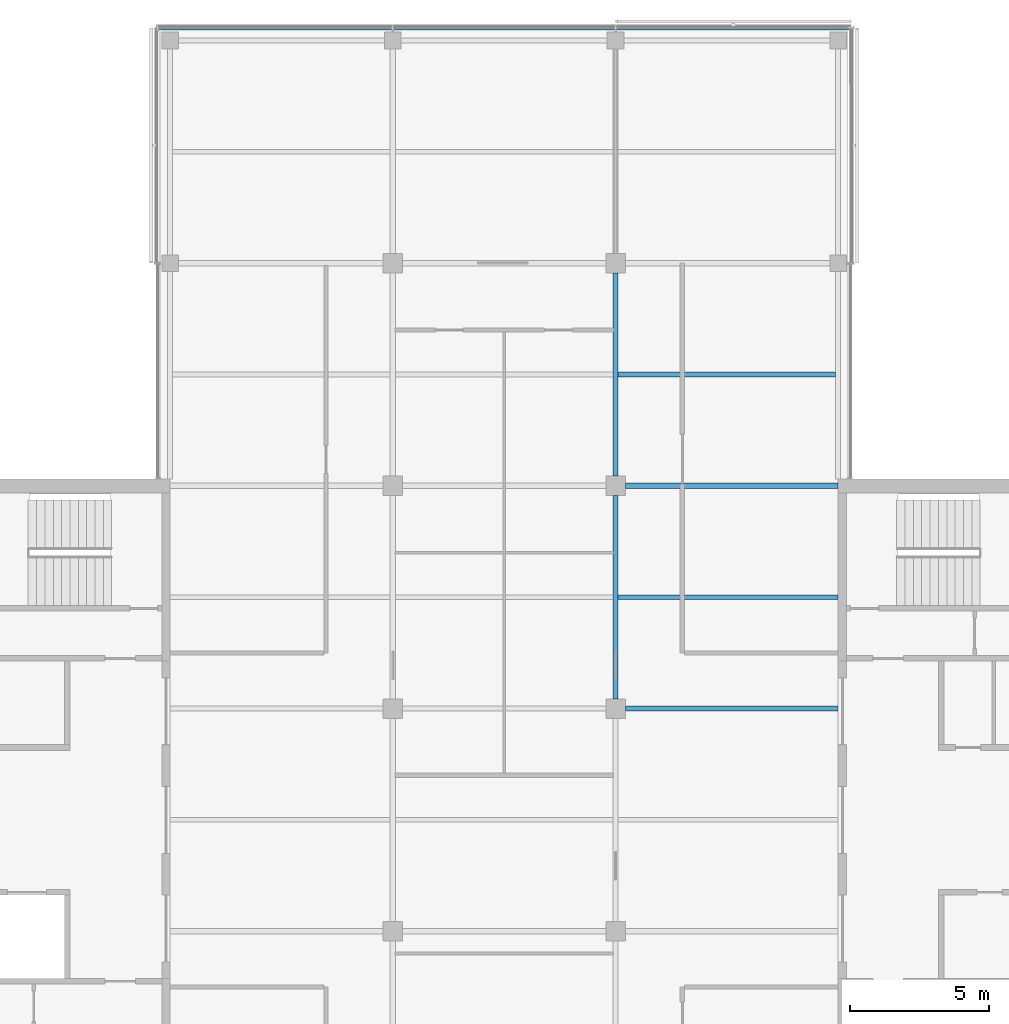
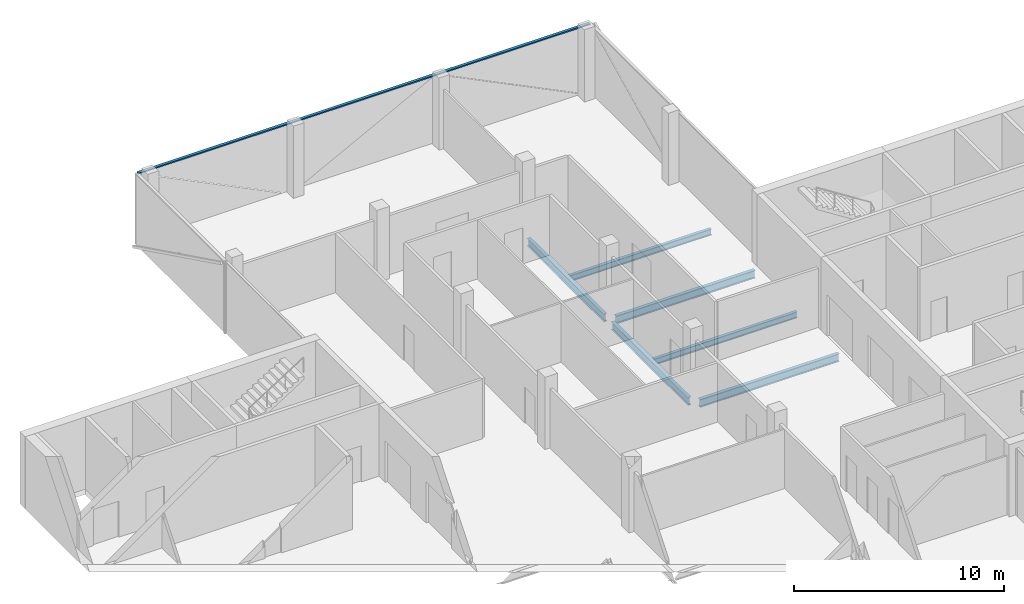
# One storey, part 6 of 15: 6 beams, 1 member, 1 element without a shape of its own.
"""IFC4 building model written with IfcOpenShell, lengths in metres."""

from ifc_helpers import new_model, si_unit, direction, frame, origin, origin_2d, place, context, subcontext, project, spatial, rectangle, i_section, extrude, material, material_profile, profile_set, type_object, element, aggregate, save


model = new_model("IFC4")

# Units and contexts
model_context = context("Model", 3, precision=1e-05, world=origin(), true_north=direction((0.0, 1.0)))
body_context = subcontext(model_context, "Body", "Model", "MODEL_VIEW")
ifc_project = project(units=[si_unit("LENGTHUNIT", "METRE"), si_unit("AREAUNIT", "SQUARE_METRE"), si_unit("VOLUMEUNIT", "CUBIC_METRE"), si_unit("PLANEANGLEUNIT", "RADIAN"), si_unit("MASSUNIT", "GRAM", prefix="KILO")], contexts=[model_context])

# Site, building, storey
site_placement = place(None, origin())
site = spatial("IfcSite", under=ifc_project, at=site_placement, CompositionType="ELEMENT")
building_placement = place(site_placement, origin())
building = spatial("IfcBuilding", under=site, at=building_placement, Name="Crosswind Convention Tower", CompositionType="ELEMENT")
storey_placement = place(building_placement, frame((0.0, 0.0, 257.699951171875)))
storey = spatial("IfcBuildingStorey", under=building, at=storey_placement, Name="L55", CompositionType="ELEMENT", Elevation=257.699951171875)

# Beams
ifc_material_1 = material(Name="Steel S355", Category="steel")
ifc_material_profile_1 = material_profile(ifc_material_1, i_section(OverallWidth=0.18994140625, OverallDepth=0.45361328125, WebThickness=0.008544921875, FlangeThickness=0.0126953125, FilletRadius=0.01025390625, at=origin_2d()), Name="UB 457x191x67")
ifc_profile_set_1 = profile_set([ifc_material_profile_1], Name="Steel S355")
beam_type_1 = type_object("IfcBeamType", Name="Girder UB 457x191x67", PredefinedType="BEAM", material=ifc_profile_set_1)
for number, where, z_axis, x_axis, name in (
    (1, (129.0, 104.35009765625, -0.52685546875), (0.0, 1.0, 0.0), (-1.0, 0.0, 0.0), "B1 L55 girder 20"),
    (2, (129.0, 112.35009765625, -0.52685546875), (0.0, 1.0, 0.0), (-1.0, 0.0, 0.0), "B1 L55 girder 21"),
):
    element("IfcBeam", number, at=place(storey_placement, frame(where, z_axis=z_axis, x_axis=x_axis)), inside=storey, type_object=beam_type_1, Name=name, PredefinedType="BEAM", context=body_context, shape_type="SweptSolid", body=[
        extrude(i_section(OverallWidth=0.18994140625, OverallDepth=0.45361328125, WebThickness=0.008544921875, FlangeThickness=0.0126953125, FilletRadius=0.01025390625, at=origin_2d()), origin(), (0.0, 0.0, 1.0), 7.2998046875),
    ])
ifc_material_profile_2 = material_profile(ifc_material_1, i_section(OverallWidth=0.1904296875, OverallDepth=0.457275390625, WebThickness=0.009033203125, FlangeThickness=0.014404296875, FilletRadius=0.01025390625, at=origin_2d()), Name="UB 457x191x75")
ifc_profile_set_2 = profile_set([ifc_material_profile_2], Name="Steel S355")
beam_type_2 = type_object("IfcBeamType", Name="Girder at core wall UB 457x191x75", PredefinedType="BEAM", material=ifc_profile_set_2)
for number, where, z_axis, x_axis, name in (
    (3, (129.35009765625, 104.0, -0.528564453125), (1.0, 0.0, 0.0), (0.0, 1.0, 0.0), "B22 L55 girder at core wall 7"),
    (4, (129.35009765625, 112.0, -0.528564453125), (1.0, 0.0, 0.0), (0.0, 1.0, 0.0), "B22 L55 girder at core wall 8"),
):
    element("IfcBeam", number, at=place(storey_placement, frame(where, z_axis=z_axis, x_axis=x_axis)), inside=storey, type_object=beam_type_2, Name=name, PredefinedType="BEAM", context=body_context, shape_type="SweptSolid", body=[
        extrude(i_section(OverallWidth=0.1904296875, OverallDepth=0.457275390625, WebThickness=0.009033203125, FlangeThickness=0.014404296875, FilletRadius=0.01025390625, at=origin_2d()), origin(), (0.0, 0.0, 1.0), 7.64990234375),
    ])
ifc_material_profile_3 = material_profile(ifc_material_1, i_section(OverallWidth=0.17138671875, OverallDepth=0.355712890625, WebThickness=0.00732421875, FlangeThickness=0.011474609375, FilletRadius=0.01025390625, at=origin_2d()), Name="UB 356x171x51")
ifc_profile_set_3 = profile_set([ifc_material_profile_3], Name="Steel S355")
beam_type_3 = type_object("IfcBeamType", Name="Secondary beam UB 356x171x51", PredefinedType="JOIST", material=ifc_profile_set_3)
beam_1_placement = place(storey_placement, frame((129.094970703125, 108.0, -0.477783203125), z_axis=(1.0, 0.0, 0.0), x_axis=(0.0, 1.0, 0.0)))
element("IfcBeam", 5, at=beam_1_placement, inside=storey, type_object=beam_type_3, Name="B8 L55 secondary beam 19", PredefinedType="JOIST", context=body_context, shape_type="SweptSolid", body=[
    extrude(i_section(OverallWidth=0.17138671875, OverallDepth=0.355712890625, WebThickness=0.00732421875, FlangeThickness=0.011474609375, FilletRadius=0.01025390625, at=origin_2d()), origin(), (0.0, 0.0, 1.0), 7.905029296875),
])
beam_2_placement = place(storey_placement, frame((129.094970703125, 116.0, -0.477783203125), z_axis=(1.0, 0.0, 0.0), x_axis=(0.0, 1.0, 0.0)))
element("IfcBeam", 6, at=beam_2_placement, inside=storey, type_object=beam_type_3, Name="B8 L55 secondary beam 20", PredefinedType="JOIST", context=body_context, shape_type="SweptSolid", body=[
    extrude(i_section(OverallWidth=0.17138671875, OverallDepth=0.355712890625, WebThickness=0.00732421875, FlangeThickness=0.011474609375, FilletRadius=0.01025390625, at=origin_2d()), origin(), (0.0, 0.0, 1.0), 7.816162109375),
])

# Curtain wall, member
ifc_material_2 = material(Name="Aluminium unitised curtain wall", Category="aluminium")
curtain_wall_type = type_object("IfcCurtainWallType", Name="OFFICE UNITISED WALL 220", PredefinedType="USERDEFINED", material=ifc_material_2)
curtain_wall_placement = place(storey_placement, origin())
curtain_wall = element("IfcCurtainWall", 7, at=curtain_wall_placement, inside=storey, type_object=curtain_wall_type, Name="CW3 L55 N-TIP 1", ObjectType="UNITISED", PredefinedType="USERDEFINED")
ifc_material_3 = material(Name="Aluminium transom", Category="aluminium")
ifc_material_profile_4 = material_profile(ifc_material_3, rectangle(XDim=0.159912109375, YDim=0.070068359375, at=origin_2d()), Name="AL 160X70")
ifc_profile_set_4 = profile_set([ifc_material_profile_4], Name="Aluminium transom")
member_type = type_object("IfcMemberType", Name="TRANSOM 70X160", PredefinedType="USERDEFINED", material=ifc_profile_set_4)
member_placement = place(storey_placement, frame((137.425048828125, 128.4599609375, 3.864990234375), z_axis=(-1.0, 0.0, 0.0), x_axis=(0.0, -1.0, 0.0)))
member = element("IfcMember", 8, at=member_placement, type_object=member_type, Name="CW3 transom", ObjectType="TRANSOM", PredefinedType="USERDEFINED", context=body_context, shape_type="SweptSolid", body=[
    extrude(rectangle(XDim=0.159912109375, YDim=0.070068359375, at=origin_2d()), origin(), (0.0, 0.0, 1.0), 24.85009765625),
])
aggregate(curtain_wall, [member])

save(model, "model.ifc")
